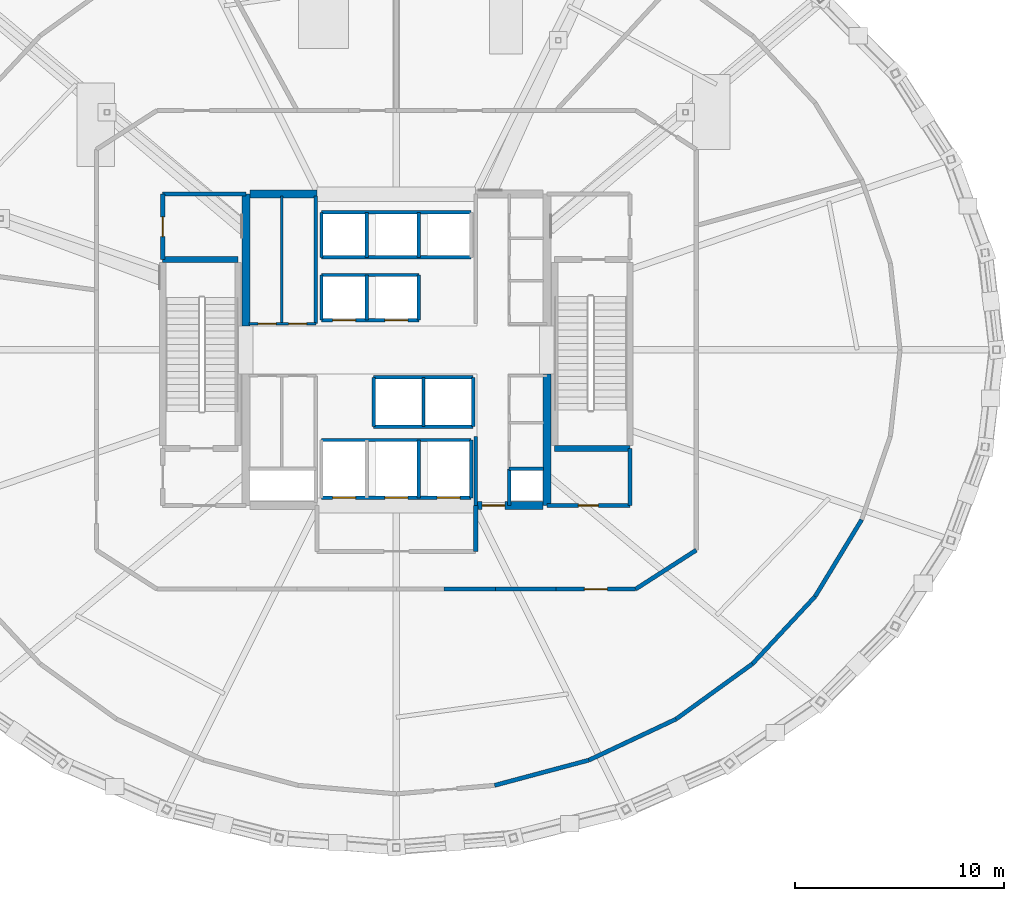
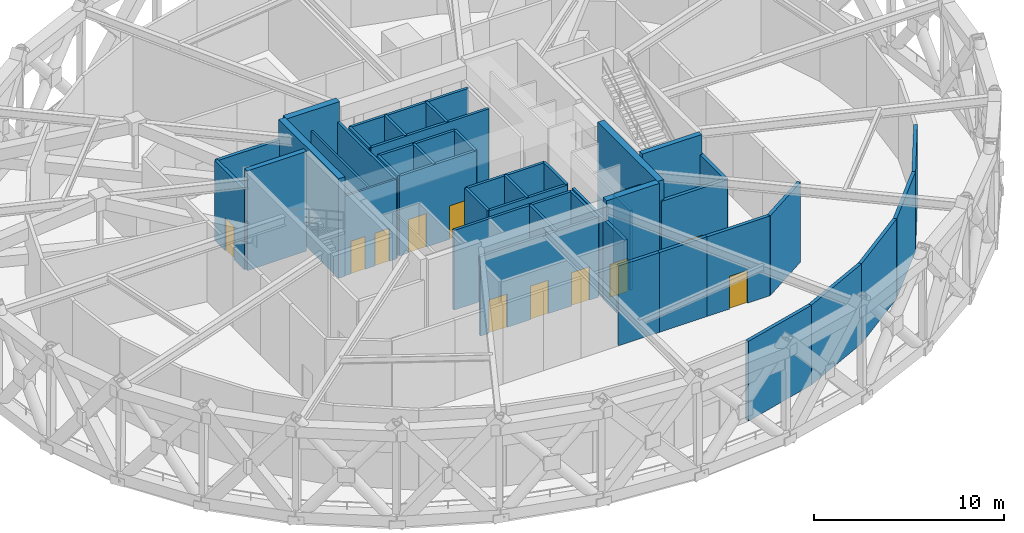
# One storey, part 9 of 15: 45 walls, 11 doors, 11 openings.
"""IFC4 building model written with IfcOpenShell, lengths in metres."""

from ifc_helpers import new_model, si_unit, direction, frame, frame_2d, origin, place, context, subcontext, project, spatial, rectangle, extrude, material, layer, layer_set, type_object, element, fill, save


model = new_model("IFC4")

# Units and contexts
model_context = context("Model", 3, precision=1e-05, world=origin(), true_north=direction((0.0, 1.0)))
body_context = subcontext(model_context, "Body", "Model", "MODEL_VIEW")
ifc_project = project(units=[si_unit("LENGTHUNIT", "METRE"), si_unit("AREAUNIT", "SQUARE_METRE"), si_unit("VOLUMEUNIT", "CUBIC_METRE"), si_unit("PLANEANGLEUNIT", "RADIAN"), si_unit("MASSUNIT", "GRAM", prefix="KILO")], contexts=[model_context])

# Site, building, storey
site_placement = place(None, origin())
site = spatial("IfcSite", under=ifc_project, at=site_placement, CompositionType="ELEMENT")
building_placement = place(site_placement, origin())
building = spatial("IfcBuilding", under=site, at=building_placement, Name="Veldorina Hangang Commons", CompositionType="ELEMENT")
storey_placement = place(building_placement, frame((0.0, 0.0, 110.800048828125)))
storey = spatial("IfcBuildingStorey", under=building, at=storey_placement, Name="L28", CompositionType="ELEMENT", Elevation=110.800048828125)

# Walls
ifc_material_1 = material(Name="Concrete C70/85", Category="concrete")
ifc_layer_1 = layer(ifc_material_1, 0.3798828125)
ifc_layer_set_1 = layer_set([ifc_layer_1], Name="Concrete C70/85")
wall_type_1 = type_object("IfcWallType", Name="CW-RC380-C70", PredefinedType="SHEAR", material=ifc_layer_set_1)
for number, where, z_axis, x_axis, name in (
    (1, (24.800048828125, 25.14990234375, 0.0), (0.0, 0.0, 1.0), (0.0, 1.0, 0.0), "L28 W north core shear wall"),
    (2, (39.199951171875, 16.550048828125, 0.0), (0.0, 0.0, 1.0), (0.0, 1.0, 0.0), "L28 E south core shear wall"),
):
    element("IfcWall", number, at=place(storey_placement, frame(where, z_axis=z_axis, x_axis=x_axis)), inside=storey, type_object=wall_type_1, Name=name, PredefinedType="SHEAR", context=body_context, shape_type="SweptSolid", body=[
        extrude(rectangle(XDim=6.300048828125, YDim=0.3798828125, at=frame_2d((3.14990234375, 0.0))), origin(), (0.0, 0.0, 1.0), 6.39990234375),
    ])

# Wall, opening, door
wall_1_placement = place(storey_placement, frame((35.800048828125, 16.550048828125, 0.0), z_axis=(0.0, 0.0, 1.0), x_axis=(1.0, 0.0, 0.0)))
wall_1 = element("IfcWall", 3, at=wall_1_placement, inside=storey, type_object=wall_type_1, Name="L28 south-east core shear wall", PredefinedType="SHEAR", context=body_context, shape_type="SweptSolid", body=[
    extrude(rectangle(XDim=3.2099609375, YDim=0.3798828125, at=frame_2d((1.60498046875, 0.0))), origin(), (0.0, 0.0, 1.0), 6.39990234375),
])
opening_1_placement = place(wall_1_placement, frame((0.300048828125, 0.0, 0.0)))
opening_1 = element("IfcOpeningElement", 4, at=opening_1_placement, cuts=wall_1, Name="Opening D-08", PredefinedType="OPENING", context=body_context, shape_type="SweptSolid", body=[
    extrude(rectangle(XDim=1.10009765625, YDim=2.10009765625, at=frame_2d((0.550048828125, 1.050048828125))), frame((0.0, 0.199951171875, 0.0), z_axis=(0.0, -1.0, 0.0), x_axis=(1.0, 0.0, 0.0)), (0.0, 0.0, 1.0), 0.39990234375),
])
ifc_material_2 = material(Name="Steel Fire-Rated Smoke Seal", Category="steel")
door_type_1 = type_object("IfcDoorType", Name="DR-FIRE-1100", OperationType="SINGLE_SWING_RIGHT", PredefinedType="DOOR", material=ifc_material_2)
door_1_placement = place(opening_1_placement, origin())
door_1 = element("IfcDoor", 5, at=door_1_placement, inside=storey, type_object=door_type_1, Name="L28 central lift lobby south corridor door", OperationType="SINGLE_SWING_RIGHT", OverallHeight=2.10009765625, OverallWidth=1.10009765625, PredefinedType="DOOR", context=body_context, shape_type="SweptSolid", body=[
    extrude(rectangle(XDim=1.10009765625, YDim=2.10009765625, at=frame_2d((0.550048828125, 1.050048828125))), frame((0.0, 0.02490234375, 0.0), z_axis=(0.0, -1.0, 0.0), x_axis=(1.0, 0.0, 0.0)), (0.0, 0.0, 1.0), 0.050048828125),
])
fill(opening_1, door_1)

# Walls
wall_2_placement = place(storey_placement, frame((24.989990234375, 31.449951171875, 0.0), z_axis=(0.0, 0.0, 1.0), x_axis=(1.0, 0.0, 0.0)))
element("IfcWall", 6, at=wall_2_placement, inside=storey, type_object=wall_type_1, Name="L28 north-west core shear wall", PredefinedType="SHEAR", context=body_context, shape_type="SweptSolid", body=[
    extrude(rectangle(XDim=3.2099609375, YDim=0.3798828125, at=frame_2d((1.60498046875, 0.0))), origin(), (0.0, 0.0, 1.0), 6.39990234375),
])
ifc_material_3 = material(Name="Concrete C50/60", Category="concrete")
ifc_layer_2 = layer(ifc_material_3, 0.300048828125)
ifc_layer_set_2 = layer_set([ifc_layer_2], Name="Concrete C50/60")
wall_type_2 = type_object("IfcWallType", Name="SW-STAIR-300", PredefinedType="SHEAR", material=ifc_layer_set_2)
for number, where, z_axis, x_axis, name in (
    (7, (20.820068359375, 28.320068359375, 0.0), (0.0, 0.0, 1.0), (1.0, 0.0, 0.0), "L28 ST1 north stair shear wall"),
    (8, (39.580078125, 19.280029296875, 0.0), (0.0, 0.0, 1.0), (1.0, 0.0, 0.0), "L28 ST2 south stair shear wall"),
):
    element("IfcWall", number, at=place(storey_placement, frame(where, z_axis=z_axis, x_axis=x_axis)), inside=storey, type_object=wall_type_2, Name=name, PredefinedType="SHEAR", context=body_context, shape_type="SweptSolid", body=[
        extrude(rectangle(XDim=3.599853515625, YDim=0.300048828125, at=frame_2d((1.7998046875, 0.0))), origin(), (0.0, 0.0, 1.0), 6.39990234375),
    ])
ifc_material_4 = material(Name="Gypsum Fire-Rated Twin Stud Wall", Category="gypsum")
ifc_layer_3 = layer(ifc_material_4, 0.159912109375)
ifc_layer_set_3 = layer_set([ifc_layer_3], Name="Gypsum Fire-Rated Twin Stud Wall")
wall_type_3 = type_object("IfcWallType", Name="WL-FIRE-160", PredefinedType="SOLIDWALL", material=ifc_layer_set_3)
wall_3_placement = place(storey_placement, frame((35.800048828125, 16.550048828125, 0.0), z_axis=(0.0, 0.0, 1.0), x_axis=(0.0, 1.0, 0.0)))
element("IfcWall", 9, at=wall_3_placement, inside=storey, type_object=wall_type_3, Name="L28 Lift passage SW wall 009", PredefinedType="SOLIDWALL", context=body_context, shape_type="SweptSolid", body=[
    extrude(rectangle(XDim=3.300048828125, YDim=0.159912109375, at=frame_2d((1.64990234375, 0.0))), origin(), (0.0, 0.0, 1.0), 5.119873046875),
])
wall_4_placement = place(storey_placement, frame((37.39990234375, 16.550048828125, 0.0), z_axis=(0.0, 0.0, 1.0), x_axis=(0.0, 1.0, 0.0)))
element("IfcWall", 10, at=wall_4_placement, inside=storey, type_object=wall_type_3, Name="L28 Lift passage SE stub 010", PredefinedType="SOLIDWALL", context=body_context, shape_type="SweptSolid", body=[
    extrude(rectangle(XDim=1.75, YDim=0.159912109375, at=frame_2d((0.875, 0.0))), origin(), (0.0, 0.0, 1.0), 5.119873046875),
])
for number, where, z_axis, x_axis, name in (
    (11, (28.419921875, 30.580078125, 0.0), (0.0, 0.0, 1.0), (1.0, 0.0, 0.0), "L28 Low-bank front shaft wall 015"),
    (12, (28.419921875, 28.419921875, 0.0), (0.0, 0.0, 1.0), (1.0, 0.0, 0.0), "L28 Low-bank rear shaft wall 016"),
):
    element("IfcWall", number, at=place(storey_placement, frame(where, z_axis=z_axis, x_axis=x_axis)), inside=storey, type_object=wall_type_3, Name=name, PredefinedType="SOLIDWALL", context=body_context, shape_type="SweptSolid", body=[
        extrude(rectangle(XDim=7.16015625, YDim=0.159912109375, at=frame_2d((3.580078125, 0.0))), origin(), (0.0, 0.0, 1.0), 5.119873046875),
    ])
for number, where, z_axis, x_axis, name in (
    (13, (28.419921875, 28.419921875, 0.0), (0.0, 0.0, 1.0), (0.0, 1.0, 0.0), "L28 PL-L1 west shaft wall 017"),
    (14, (30.580078125, 28.419921875, 0.0), (0.0, 0.0, 1.0), (0.0, 1.0, 0.0), "L28 PL-L1 east shaft wall 018"),
    (15, (33.080078125, 28.419921875, 0.0), (0.0, 0.0, 1.0), (0.0, 1.0, 0.0), "L28 PL-L2 east shaft wall 019"),
):
    element("IfcWall", number, at=place(storey_placement, frame(where, z_axis=z_axis, x_axis=x_axis)), inside=storey, type_object=wall_type_3, Name=name, PredefinedType="SOLIDWALL", context=body_context, shape_type="SweptSolid", body=[
        extrude(rectangle(XDim=2.16015625, YDim=0.159912109375, at=frame_2d((1.080078125, 0.0))), origin(), (0.0, 0.0, 1.0), 5.119873046875),
    ])

# Wall, openings, doors
wall_5_placement = place(storey_placement, frame((28.419921875, 25.419921875, 0.0), z_axis=(0.0, 0.0, 1.0), x_axis=(1.0, 0.0, 0.0)))
wall_5 = element("IfcWall", 16, at=wall_5_placement, inside=storey, type_object=wall_type_3, Name="L28 Mid-high front shaft wall 021", PredefinedType="SOLIDWALL", context=body_context, shape_type="SweptSolid", body=[
    extrude(rectangle(XDim=4.66015625, YDim=0.159912109375, at=frame_2d((2.330078125, 0.0))), origin(), (0.0, 0.0, 1.0), 5.119873046875),
])
opening_2_placement = place(wall_5_placement, frame((0.530029296875, 0.0, 0.0)))
opening_2 = element("IfcOpeningElement", 17, at=opening_2_placement, cuts=wall_5, Name="Opening LD-01", PredefinedType="OPENING", context=body_context, shape_type="SweptSolid", body=[
    extrude(rectangle(XDim=1.10009765625, YDim=2.14990234375, at=frame_2d((0.550048828125, 1.074951171875))), frame((0.0, 0.08984375, 0.0), z_axis=(0.0, -1.0, 0.0), x_axis=(1.0, 0.0, 0.0)), (0.0, 0.0, 1.0), 0.179931640625),
])
opening_3_placement = place(wall_5_placement, frame((3.030029296875, 0.0, 0.0)))
opening_3 = element("IfcOpeningElement", 18, at=opening_3_placement, cuts=wall_5, Name="Opening LD-01", PredefinedType="OPENING", context=body_context, shape_type="SweptSolid", body=[
    extrude(rectangle(XDim=1.10009765625, YDim=2.14990234375, at=frame_2d((0.550048828125, 1.074951171875))), frame((0.0, 0.08984375, 0.0), z_axis=(0.0, -1.0, 0.0), x_axis=(1.0, 0.0, 0.0)), (0.0, 0.0, 1.0), 0.179931640625),
])
ifc_material_5 = material(Name="Stainless Steel Brushed Lift Door", Category="steel")
door_type_2 = type_object("IfcDoorType", Name="DR-LIFT-1100", OperationType="SLIDING_TO_LEFT", PredefinedType="DOOR", material=ifc_material_5)
door_2_placement = place(opening_2_placement, origin())
door_2 = element("IfcDoor", 19, at=door_2_placement, inside=storey, type_object=door_type_2, Name="L28 Lift PL-M1 landing door 007", OperationType="SLIDING_TO_RIGHT", OverallHeight=2.14990234375, OverallWidth=1.10009765625, PredefinedType="DOOR", context=body_context, shape_type="SweptSolid", body=[
    extrude(rectangle(XDim=1.10009765625, YDim=2.14990234375, at=frame_2d((0.550048828125, 1.074951171875))), frame((0.0, 0.02490234375, 0.0), z_axis=(0.0, -1.0, 0.0), x_axis=(1.0, 0.0, 0.0)), (0.0, 0.0, 1.0), 0.050048828125),
])
fill(opening_2, door_2)
door_3_placement = place(opening_3_placement, origin())
door_3 = element("IfcDoor", 20, at=door_3_placement, inside=storey, type_object=door_type_2, Name="L28 Lift PL-M2 landing door 008", OperationType="SLIDING_TO_RIGHT", OverallHeight=2.14990234375, OverallWidth=1.10009765625, PredefinedType="DOOR", context=body_context, shape_type="SweptSolid", body=[
    extrude(rectangle(XDim=1.10009765625, YDim=2.14990234375, at=frame_2d((0.550048828125, 1.074951171875))), frame((0.0, 0.02490234375, 0.0), z_axis=(0.0, -1.0, 0.0), x_axis=(1.0, 0.0, 0.0)), (0.0, 0.0, 1.0), 0.050048828125),
])
fill(opening_3, door_3)

# Walls
wall_6_placement = place(storey_placement, frame((28.419921875, 27.580078125, 0.0), z_axis=(0.0, 0.0, 1.0), x_axis=(1.0, 0.0, 0.0)))
element("IfcWall", 21, at=wall_6_placement, inside=storey, type_object=wall_type_3, Name="L28 Mid-high rear shaft wall 022", PredefinedType="SOLIDWALL", context=body_context, shape_type="SweptSolid", body=[
    extrude(rectangle(XDim=4.66015625, YDim=0.159912109375, at=frame_2d((2.330078125, 0.0))), origin(), (0.0, 0.0, 1.0), 5.119873046875),
])
for number, where, z_axis, x_axis, name in (
    (22, (28.419921875, 25.419921875, 0.0), (0.0, 0.0, 1.0), (0.0, 1.0, 0.0), "L28 PL-M1 west shaft wall 023"),
    (23, (30.580078125, 25.419921875, 0.0), (0.0, 0.0, 1.0), (0.0, 1.0, 0.0), "L28 PL-M1 east shaft wall 024"),
    (24, (33.080078125, 25.419921875, 0.0), (0.0, 0.0, 1.0), (0.0, 1.0, 0.0), "L28 PL-M2 east shaft wall 025"),
):
    element("IfcWall", number, at=place(storey_placement, frame(where, z_axis=z_axis, x_axis=x_axis)), inside=storey, type_object=wall_type_3, Name=name, PredefinedType="SOLIDWALL", context=body_context, shape_type="SweptSolid", body=[
        extrude(rectangle(XDim=2.16015625, YDim=0.159912109375, at=frame_2d((1.080078125, 0.0))), origin(), (0.0, 0.0, 1.0), 5.119873046875),
    ])
for number, where, z_axis, x_axis, name in (
    (25, (30.919921875, 22.679931640625, 0.0), (0.0, 0.0, 1.0), (1.0, 0.0, 0.0), "L28 Shuttle-high front shaft wall 026"),
    (26, (30.919921875, 20.320068359375, 0.0), (0.0, 0.0, 1.0), (1.0, 0.0, 0.0), "L28 Shuttle-high rear shaft wall 027"),
):
    element("IfcWall", number, at=place(storey_placement, frame(where, z_axis=z_axis, x_axis=x_axis)), inside=storey, type_object=wall_type_3, Name=name, PredefinedType="SOLIDWALL", context=body_context, shape_type="SweptSolid", body=[
        extrude(rectangle(XDim=4.760009765625, YDim=0.159912109375, at=frame_2d((2.3798828125, 0.0))), origin(), (0.0, 0.0, 1.0), 5.119873046875),
    ])
for number, where, z_axis, x_axis, name in (
    (27, (30.919921875, 20.320068359375, 0.0), (0.0, 0.0, 1.0), (0.0, 1.0, 0.0), "L28 SL-1 west shaft wall 028"),
    (28, (33.300048828125, 20.320068359375, 0.0), (0.0, 0.0, 1.0), (0.0, 1.0, 0.0), "L28 SL-1 east shaft wall 029"),
    (29, (35.679931640625, 20.320068359375, 0.0), (0.0, 0.0, 1.0), (0.0, 1.0, 0.0), "L28 SL-2 east shaft wall 030"),
):
    element("IfcWall", number, at=place(storey_placement, frame(where, z_axis=z_axis, x_axis=x_axis)), inside=storey, type_object=wall_type_3, Name=name, PredefinedType="SOLIDWALL", context=body_context, shape_type="SweptSolid", body=[
        extrude(rectangle(XDim=2.35986328125, YDim=0.159912109375, at=frame_2d((1.179931640625, 0.0))), origin(), (0.0, 0.0, 1.0), 5.119873046875),
    ])

# Wall, openings, doors
wall_7_placement = place(storey_placement, frame((28.419921875, 16.919921875, 0.0), z_axis=(0.0, 0.0, 1.0), x_axis=(1.0, 0.0, 0.0)))
wall_7 = element("IfcWall", 30, at=wall_7_placement, inside=storey, type_object=wall_type_3, Name="L28 Emergency front shaft wall 031", PredefinedType="SOLIDWALL", context=body_context, shape_type="SweptSolid", body=[
    extrude(rectangle(XDim=7.16015625, YDim=0.159912109375, at=frame_2d((3.580078125, 0.0))), origin(), (0.0, 0.0, 1.0), 5.119873046875),
])
opening_4_placement = place(wall_7_placement, frame((0.530029296875, 0.0, 0.0)))
opening_4 = element("IfcOpeningElement", 31, at=opening_4_placement, cuts=wall_7, Name="Opening LD-03", PredefinedType="OPENING", context=body_context, shape_type="SweptSolid", body=[
    extrude(rectangle(XDim=1.10009765625, YDim=2.14990234375, at=frame_2d((0.550048828125, 1.074951171875))), frame((0.0, 0.08984375, 0.0), z_axis=(0.0, -1.0, 0.0), x_axis=(1.0, 0.0, 0.0)), (0.0, 0.0, 1.0), 0.179931640625),
])
opening_5_placement = place(wall_7_placement, frame((3.030029296875, 0.0, 0.0)))
opening_5 = element("IfcOpeningElement", 32, at=opening_5_placement, cuts=wall_7, Name="Opening LD-03", PredefinedType="OPENING", context=body_context, shape_type="SweptSolid", body=[
    extrude(rectangle(XDim=1.10009765625, YDim=2.14990234375, at=frame_2d((0.550048828125, 1.074951171875))), frame((0.0, 0.08984375, 0.0), z_axis=(0.0, -1.0, 0.0), x_axis=(1.0, 0.0, 0.0)), (0.0, 0.0, 1.0), 0.179931640625),
])
opening_6_placement = place(wall_7_placement, frame((5.530029296875, 0.0, 0.0)))
opening_6 = element("IfcOpeningElement", 33, at=opening_6_placement, cuts=wall_7, Name="Opening LD-03", PredefinedType="OPENING", context=body_context, shape_type="SweptSolid", body=[
    extrude(rectangle(XDim=1.10009765625, YDim=2.14990234375, at=frame_2d((0.550048828125, 1.074951171875))), frame((0.0, 0.08984375, 0.0), z_axis=(0.0, -1.0, 0.0), x_axis=(1.0, 0.0, 0.0)), (0.0, 0.0, 1.0), 0.179931640625),
])
ifc_material_6 = material(Name="Stainless Steel Firefighting Lift Door", Category="steel")
door_type_3 = type_object("IfcDoorType", Name="DR-LIFT-FF1100", OperationType="SLIDING_TO_RIGHT", PredefinedType="DOOR", material=ifc_material_6)
door_4_placement = place(opening_4_placement, origin())
door_4 = element("IfcDoor", 34, at=door_4_placement, inside=storey, type_object=door_type_3, Name="L28 Emergency lift FFL-1 landing door 009", OperationType="SLIDING_TO_RIGHT", OverallHeight=2.14990234375, OverallWidth=1.10009765625, PredefinedType="DOOR", context=body_context, shape_type="SweptSolid", body=[
    extrude(rectangle(XDim=1.10009765625, YDim=2.14990234375, at=frame_2d((0.550048828125, 1.074951171875))), frame((0.0, 0.02490234375, 0.0), z_axis=(0.0, -1.0, 0.0), x_axis=(1.0, 0.0, 0.0)), (0.0, 0.0, 1.0), 0.050048828125),
])
fill(opening_4, door_4)
door_5_placement = place(opening_5_placement, origin())
door_5 = element("IfcDoor", 35, at=door_5_placement, inside=storey, type_object=door_type_3, Name="L28 Emergency lift FFL-2 landing door 010", OperationType="SLIDING_TO_RIGHT", OverallHeight=2.14990234375, OverallWidth=1.10009765625, PredefinedType="DOOR", context=body_context, shape_type="SweptSolid", body=[
    extrude(rectangle(XDim=1.10009765625, YDim=2.14990234375, at=frame_2d((0.550048828125, 1.074951171875))), frame((0.0, 0.02490234375, 0.0), z_axis=(0.0, -1.0, 0.0), x_axis=(1.0, 0.0, 0.0)), (0.0, 0.0, 1.0), 0.050048828125),
])
fill(opening_5, door_5)
door_6_placement = place(opening_6_placement, origin())
door_6 = element("IfcDoor", 36, at=door_6_placement, inside=storey, type_object=door_type_3, Name="L28 Emergency lift EVL-1 landing door 011", OperationType="SLIDING_TO_RIGHT", OverallHeight=2.14990234375, OverallWidth=1.10009765625, PredefinedType="DOOR", context=body_context, shape_type="SweptSolid", body=[
    extrude(rectangle(XDim=1.10009765625, YDim=2.14990234375, at=frame_2d((0.550048828125, 1.074951171875))), frame((0.0, 0.02490234375, 0.0), z_axis=(0.0, -1.0, 0.0), x_axis=(1.0, 0.0, 0.0)), (0.0, 0.0, 1.0), 0.050048828125),
])
fill(opening_6, door_6)

# Walls
wall_8_placement = place(storey_placement, frame((28.419921875, 19.679931640625, 0.0), z_axis=(0.0, 0.0, 1.0), x_axis=(1.0, 0.0, 0.0)))
element("IfcWall", 37, at=wall_8_placement, inside=storey, type_object=wall_type_3, Name="L28 Emergency rear shaft wall 032", PredefinedType="SOLIDWALL", context=body_context, shape_type="SweptSolid", body=[
    extrude(rectangle(XDim=7.16015625, YDim=0.159912109375, at=frame_2d((3.580078125, 0.0))), origin(), (0.0, 0.0, 1.0), 5.119873046875),
])
for number, where, z_axis, x_axis, name in (
    (38, (33.080078125, 16.919921875, 0.0), (0.0, 0.0, 1.0), (0.0, 1.0, 0.0), "L28 FFL-2 east shaft wall 035"),
    (39, (35.580078125, 16.919921875, 0.0), (0.0, 0.0, 1.0), (0.0, 1.0, 0.0), "L28 EVL-1 east shaft wall 036"),
):
    element("IfcWall", number, at=place(storey_placement, frame(where, z_axis=z_axis, x_axis=x_axis)), inside=storey, type_object=wall_type_3, Name=name, PredefinedType="SOLIDWALL", context=body_context, shape_type="SweptSolid", body=[
        extrude(rectangle(XDim=2.760009765625, YDim=0.159912109375, at=frame_2d((1.3798828125, 0.0))), origin(), (0.0, 0.0, 1.0), 5.119873046875),
    ])
wall_9_placement = place(storey_placement, frame((37.39990234375, 18.300048828125, 0.0), z_axis=(0.0, 0.0, 1.0), x_axis=(1.0, 0.0, 0.0)))
element("IfcWall", 40, at=wall_9_placement, inside=storey, type_object=wall_type_3, Name="L28 Plumbing riser wall 039", PredefinedType="SOLIDWALL", context=body_context, shape_type="SweptSolid", body=[
    extrude(rectangle(XDim=1.650146484375, YDim=0.159912109375, at=frame_2d((0.8251953125, 0.0))), origin(), (0.0, 0.0, 1.0), 5.119873046875),
])
wall_10_placement = place(storey_placement, frame((28.14990234375, 25.25, 0.0), z_axis=(0.0, 0.0, 1.0), x_axis=(0.0, 1.0, 0.0)))
element("IfcWall", 41, at=wall_10_placement, inside=storey, type_object=wall_type_3, Name="L28 NW core inner wall 040", PredefinedType="SOLIDWALL", context=body_context, shape_type="SweptSolid", body=[
    extrude(rectangle(XDim=6.10009765625, YDim=0.159912109375, at=frame_2d((3.050048828125, 0.0))), origin(), (0.0, 0.0, 1.0), 5.119873046875),
])

# Wall, opening, door
ifc_material_7 = material(Name="Concrete Blockwork Fire Wall C30/37", Category="masonry")
ifc_layer_4 = layer(ifc_material_7, 0.199951171875)
ifc_layer_set_4 = layer_set([ifc_layer_4], Name="Concrete Blockwork Fire Wall C30/37")
wall_type_4 = type_object("IfcWallType", Name="WL-FIRE-200", PredefinedType="SOLIDWALL", material=ifc_layer_set_4)
wall_11_placement = place(storey_placement, frame((20.820068359375, 28.320068359375, 0.0), z_axis=(0.0, 0.0, 1.0), x_axis=(0.0, 1.0, 0.0)))
wall_11 = element("IfcWall", 42, at=wall_11_placement, inside=storey, type_object=wall_type_4, Name="L28 NW core room outer wall 005", PredefinedType="SOLIDWALL", context=body_context, shape_type="SweptSolid", body=[
    extrude(rectangle(XDim=3.1298828125, YDim=0.199951171875, at=frame_2d((1.56494140625, 0.0))), origin(), (0.0, 0.0, 1.0), 5.119873046875),
])
opening_7_placement = place(wall_11_placement, frame((1.090087890625, 0.0, 0.0)))
opening_7 = element("IfcOpeningElement", 43, at=opening_7_placement, cuts=wall_11, Name="Opening D-04", PredefinedType="OPENING", context=body_context, shape_type="SweptSolid", body=[
    extrude(rectangle(XDim=0.949951171875, YDim=2.10009765625, at=frame_2d((0.47509765625, 1.050048828125))), frame((0.0, 0.10986328125, 0.0), z_axis=(0.0, -1.0, 0.0), x_axis=(1.0, 0.0, 0.0)), (0.0, 0.0, 1.0), 0.219970703125),
])
ifc_material_8 = material(Name="Timber Accessible Flush Leaf", Category="wood")
door_type_4 = type_object("IfcDoorType", Name="DR-ACC-950", OperationType="SINGLE_SWING_LEFT", PredefinedType="DOOR", material=ifc_material_8)
door_7_placement = place(opening_7_placement, origin())
door_7 = element("IfcDoor", 44, at=door_7_placement, inside=storey, type_object=door_type_4, Name="L28 NW core WC door 004", OperationType="SINGLE_SWING_RIGHT", OverallHeight=2.10009765625, OverallWidth=0.949951171875, PredefinedType="DOOR", context=body_context, shape_type="SweptSolid", body=[
    extrude(rectangle(XDim=0.949951171875, YDim=2.10009765625, at=frame_2d((0.47509765625, 1.050048828125))), frame((0.0, 0.02490234375, 0.0), z_axis=(0.0, -1.0, 0.0), x_axis=(1.0, 0.0, 0.0)), (0.0, 0.0, 1.0), 0.050048828125),
])
fill(opening_7, door_7)

# Walls
wall_12_placement = place(storey_placement, frame((20.820068359375, 31.449951171875, 0.0), z_axis=(0.0, 0.0, 1.0), x_axis=(1.0, 0.0, 0.0)))
element("IfcWall", 45, at=wall_12_placement, inside=storey, type_object=wall_type_4, Name="L28 NW core room north wall 006", PredefinedType="SOLIDWALL", context=body_context, shape_type="SweptSolid", body=[
    extrude(rectangle(XDim=3.97998046875, YDim=0.199951171875, at=frame_2d((1.989990234375, 0.0))), origin(), (0.0, 0.0, 1.0), 5.119873046875),
])
wall_13_placement = place(storey_placement, frame((43.179931640625, 16.550048828125, 0.0), z_axis=(0.0, 0.0, 1.0), x_axis=(0.0, 1.0, 0.0)))
element("IfcWall", 46, at=wall_13_placement, inside=storey, type_object=wall_type_4, Name="L28 SE core room outer wall 007", PredefinedType="SOLIDWALL", context=body_context, shape_type="SweptSolid", body=[
    extrude(rectangle(XDim=2.72998046875, YDim=0.199951171875, at=frame_2d((1.364990234375, 0.0))), origin(), (0.0, 0.0, 1.0), 5.119873046875),
])

# Wall, opening, door
wall_14_placement = place(storey_placement, frame((39.199951171875, 16.550048828125, 0.0), z_axis=(0.0, 0.0, 1.0), x_axis=(1.0, 0.0, 0.0)))
wall_14 = element("IfcWall", 47, at=wall_14_placement, inside=storey, type_object=wall_type_4, Name="L28 SE core room south wall 008", PredefinedType="SOLIDWALL", context=body_context, shape_type="SweptSolid", body=[
    extrude(rectangle(XDim=3.97998046875, YDim=0.199951171875, at=frame_2d((1.989990234375, 0.0))), origin(), (0.0, 0.0, 1.0), 5.119873046875),
])
opening_8_placement = place(wall_14_placement, frame((1.514892578125, 0.0, 0.0)))
opening_8 = element("IfcOpeningElement", 48, at=opening_8_placement, cuts=wall_14, Name="Opening D-02", PredefinedType="OPENING", context=body_context, shape_type="SweptSolid", body=[
    extrude(rectangle(XDim=0.949951171875, YDim=2.10009765625, at=frame_2d((0.47509765625, 1.050048828125))), frame((0.0, 0.10986328125, 0.0), z_axis=(0.0, -1.0, 0.0), x_axis=(1.0, 0.0, 0.0)), (0.0, 0.0, 1.0), 0.219970703125),
])
ifc_material_9 = material(Name="Timber Solid Core Acoustic", Category="wood")
door_type_5 = type_object("IfcDoorType", Name="DR-INT-950", OperationType="SINGLE_SWING_LEFT", PredefinedType="DOOR", material=ifc_material_9)
door_8_placement = place(opening_8_placement, origin())
door_8 = element("IfcDoor", 49, at=door_8_placement, inside=storey, type_object=door_type_5, Name="L28 SE core WC door 005", OperationType="SINGLE_SWING_LEFT", OverallHeight=2.10009765625, OverallWidth=0.949951171875, PredefinedType="DOOR", context=body_context, shape_type="SweptSolid", body=[
    extrude(rectangle(XDim=0.949951171875, YDim=2.10009765625, at=frame_2d((0.47509765625, 1.050048828125))), frame((0.0, 0.02490234375, 0.0), z_axis=(0.0, -1.0, 0.0), x_axis=(1.0, 0.0, 0.0)), (0.0, 0.0, 1.0), 0.050048828125),
])
fill(opening_8, door_8)

# Walls
wall_15_placement = place(storey_placement, frame((35.800048828125, 14.35009765625, 0.0), z_axis=(0.0, 0.0, 1.0), x_axis=(0.0, 1.0, 0.0)))
element("IfcWall", 50, at=wall_15_placement, inside=storey, type_object=wall_type_4, Name="L28 FF lobby east wall 013", PredefinedType="SOLIDWALL", context=body_context, shape_type="SweptSolid", body=[
    extrude(rectangle(XDim=2.199951171875, YDim=0.199951171875, at=frame_2d((1.10009765625, 0.0))), origin(), (0.0, 0.0, 1.0), 5.119873046875),
])
wall_16_placement = place(storey_placement, frame((36.70166015625, 3.158203125, 0.0), z_axis=(0.0, 0.0, 1.0), x_axis=(0.9660285601, 0.258435332473, 0.0)))
element("IfcWall", 51, at=wall_16_placement, inside=storey, type_object=wall_type_4, Name="L28 L28 wind-floor compartment wall 25 077", PredefinedType="SOLIDWALL", context=body_context, shape_type="SweptSolid", body=[
    extrude(rectangle(XDim=4.679931640625, YDim=0.199951171875, at=frame_2d((2.33984375, 0.0))), origin(), (0.0, 0.0, 1.0), 5.119873046875),
])
wall_17_placement = place(storey_placement, frame((41.22265625, 4.36767578125, 0.0), z_axis=(0.0, 0.0, 1.0), x_axis=(0.904574703116, 0.426315149253, 0.0)))
element("IfcWall", 52, at=wall_17_placement, inside=storey, type_object=wall_type_4, Name="L28 L28 wind-floor compartment wall 26 078", PredefinedType="SOLIDWALL", context=body_context, shape_type="SweptSolid", body=[
    extrude(rectangle(XDim=4.60595703125, YDim=0.199951171875, at=frame_2d((2.302978515625, 0.0))), origin(), (0.0, 0.0, 1.0), 5.119873046875),
])
wall_18_placement = place(storey_placement, frame((45.38916015625, 6.331298828125, 0.0), z_axis=(0.0, 0.0, 1.0), x_axis=(0.810131923704, 0.586247615088, 0.0)))
element("IfcWall", 53, at=wall_18_placement, inside=storey, type_object=wall_type_4, Name="L28 L28 wind-floor compartment wall 27 079", PredefinedType="SOLIDWALL", context=body_context, shape_type="SweptSolid", body=[
    extrude(rectangle(XDim=4.508056640625, YDim=0.199951171875, at=frame_2d((2.25390625, 0.0))), origin(), (0.0, 0.0, 1.0), 5.119873046875),
])
wall_19_placement = place(storey_placement, frame((49.041259765625, 8.97412109375, 0.0), z_axis=(0.0, 0.0, 1.0), x_axis=(0.681317030747, 0.731988458661, 0.0)))
element("IfcWall", 54, at=wall_19_placement, inside=storey, type_object=wall_type_4, Name="L28 L28 wind-floor compartment wall 28 080", PredefinedType="SOLIDWALL", context=body_context, shape_type="SweptSolid", body=[
    extrude(rectangle(XDim=4.39892578125, YDim=0.199951171875, at=frame_2d((2.199462890625, 0.0))), origin(), (0.0, 0.0, 1.0), 5.119873046875),
])
wall_20_placement = place(storey_placement, frame((52.038330078125, 12.194091796875, 0.0), z_axis=(0.0, 0.0, 1.0), x_axis=(0.518384837447, 0.855147449452, 0.0)))
element("IfcWall", 55, at=wall_20_placement, inside=storey, type_object=wall_type_4, Name="L28 L28 wind-floor compartment wall 29 081", PredefinedType="SOLIDWALL", context=body_context, shape_type="SweptSolid", body=[
    extrude(rectangle(XDim=4.296142578125, YDim=0.199951171875, at=frame_2d((2.14794921875, 0.0))), origin(), (0.0, 0.0, 1.0), 5.119873046875),
])
wall_21_placement = place(storey_placement, frame((34.277587890625, 12.550048828125, 0.0), z_axis=(0.0, 0.0, 1.0), x_axis=(1.0, 0.0, 0.0)))
element("IfcWall", 56, at=wall_21_placement, inside=storey, type_object=wall_type_4, Name="L28 Plant corridor wall 25 109", PredefinedType="SOLIDWALL", context=body_context, shape_type="SweptSolid", body=[
    extrude(rectangle(XDim=2.465087890625, YDim=0.199951171875, at=frame_2d((1.232421875, 0.0))), origin(), (0.0, 0.0, 1.0), 5.119873046875),
])
wall_22_placement = place(storey_placement, frame((36.74267578125, 12.550048828125, 0.0), z_axis=(0.0, 0.0, 1.0), x_axis=(1.0, 0.0, 0.0)))
element("IfcWall", 57, at=wall_22_placement, inside=storey, type_object=wall_type_4, Name="L28 Plant corridor wall 26 110", PredefinedType="SOLIDWALL", context=body_context, shape_type="SweptSolid", body=[
    extrude(rectangle(XDim=2.907958984375, YDim=0.199951171875, at=frame_2d((1.4541015625, 0.0))), origin(), (0.0, 0.0, 1.0), 5.119873046875),
])

# Wall, opening, door
wall_23_placement = place(storey_placement, frame((39.650634765625, 12.550048828125, 0.0), z_axis=(0.0, 0.0, 1.0), x_axis=(1.0, 0.0, 0.0)))
wall_23 = element("IfcWall", 58, at=wall_23_placement, inside=storey, type_object=wall_type_4, Name="L28 Plant corridor wall 27 111", PredefinedType="SOLIDWALL", context=body_context, shape_type="SweptSolid", body=[
    extrude(rectangle(XDim=3.79931640625, YDim=0.199951171875, at=frame_2d((1.899658203125, 0.0))), origin(), (0.0, 0.0, 1.0), 5.119873046875),
])
opening_9_placement = place(wall_23_placement, frame((1.349609375, 0.0, 0.0)))
opening_9 = element("IfcOpeningElement", 59, at=opening_9_placement, cuts=wall_23, Name="Opening D-08", PredefinedType="OPENING", context=body_context, shape_type="SweptSolid", body=[
    extrude(rectangle(XDim=1.10009765625, YDim=2.10009765625, at=frame_2d((0.550048828125, 1.050048828125))), frame((0.0, 0.10986328125, 0.0), z_axis=(0.0, -1.0, 0.0), x_axis=(1.0, 0.0, 0.0)), (0.0, 0.0, 1.0), 0.219970703125),
])
door_9_placement = place(opening_9_placement, origin())
door_9 = element("IfcDoor", 60, at=door_9_placement, inside=storey, type_object=door_type_1, Name="L28 Refuge east corridor door 024", OperationType="SINGLE_SWING_RIGHT", OverallHeight=2.10009765625, OverallWidth=1.10009765625, PredefinedType="DOOR", context=body_context, shape_type="SweptSolid", body=[
    extrude(rectangle(XDim=1.10009765625, YDim=2.10009765625, at=frame_2d((0.550048828125, 1.050048828125))), frame((0.0, 0.02490234375, 0.0), z_axis=(0.0, -1.0, 0.0), x_axis=(1.0, 0.0, 0.0)), (0.0, 0.0, 1.0), 0.050048828125),
])
fill(opening_9, door_9)

# Wall
wall_24_placement = place(storey_placement, frame((43.449951171875, 12.550048828125, 0.0), z_axis=(0.0, 0.0, 1.0), x_axis=(0.841548863049, 0.540180998464, 0.0)))
element("IfcWall", 61, at=wall_24_placement, inside=storey, type_object=wall_type_4, Name="L28 Plant corridor wall 28 112", PredefinedType="SOLIDWALL", context=body_context, shape_type="SweptSolid", body=[
    extrude(rectangle(XDim=3.4462890625, YDim=0.199951171875, at=frame_2d((1.72314453125, 0.0))), origin(), (0.0, 0.0, 1.0), 5.119873046875),
])

# Wall, openings, doors
ifc_material_10 = material(Name="Gypsum Acoustic Stud Partition", Category="gypsum")
ifc_layer_5 = layer(ifc_material_10, 0.1201171875)
ifc_layer_set_5 = layer_set([ifc_layer_5], Name="Gypsum Acoustic Stud Partition")
wall_type_5 = type_object("IfcWallType", Name="WL-PART-120", PredefinedType="PARTITIONING", material=ifc_layer_set_5)
wall_25_placement = place(storey_placement, frame((24.949951171875, 25.25, 0.0), z_axis=(0.0, 0.0, 1.0), x_axis=(1.0, 0.0, 0.0)))
wall_25 = element("IfcWall", 62, at=wall_25_placement, inside=storey, type_object=wall_type_5, Name="L28 NW service south wall 041", PredefinedType="PARTITIONING", context=body_context, shape_type="SweptSolid", body=[
    extrude(rectangle(XDim=3.199951171875, YDim=0.1201171875, at=frame_2d((1.60009765625, 0.0))), origin(), (0.0, 0.0, 1.0), 5.119873046875),
])
opening_10_placement = place(wall_25_placement, frame((0.43994140625, 0.0, 0.0)))
opening_10 = element("IfcOpeningElement", 63, at=opening_10_placement, cuts=wall_25, Name="Opening D-01", PredefinedType="OPENING", context=body_context, shape_type="SweptSolid", body=[
    extrude(rectangle(XDim=0.860107421875, YDim=2.10009765625, at=frame_2d((0.43017578125, 1.050048828125))), frame((0.0, 0.070068359375, 0.0), z_axis=(0.0, -1.0, 0.0), x_axis=(1.0, 0.0, 0.0)), (0.0, 0.0, 1.0), 0.14013671875),
])
opening_11_placement = place(wall_25_placement, frame((1.89990234375, 0.0, 0.0)))
opening_11 = element("IfcOpeningElement", 64, at=opening_11_placement, cuts=wall_25, Name="Opening D-01", PredefinedType="OPENING", context=body_context, shape_type="SweptSolid", body=[
    extrude(rectangle(XDim=0.860107421875, YDim=2.10009765625, at=frame_2d((0.43017578125, 1.050048828125))), frame((0.0, 0.070068359375, 0.0), z_axis=(0.0, -1.0, 0.0), x_axis=(1.0, 0.0, 0.0)), (0.0, 0.0, 1.0), 0.14013671875),
])
ifc_material_11 = material(Name="Timber Moisture-Resistant Core", Category="wood")
door_type_6 = type_object("IfcDoorType", Name="DR-WET-860", OperationType="SINGLE_SWING_LEFT", PredefinedType="DOOR", material=ifc_material_11)
door_10_placement = place(opening_10_placement, origin())
door_10 = element("IfcDoor", 65, at=door_10_placement, inside=storey, type_object=door_type_6, Name="L28 Linen west door 012", OperationType="SINGLE_SWING_RIGHT", OverallHeight=2.10009765625, OverallWidth=0.860107421875, PredefinedType="DOOR", context=body_context, shape_type="SweptSolid", body=[
    extrude(rectangle(XDim=0.860107421875, YDim=2.10009765625, at=frame_2d((0.43017578125, 1.050048828125))), frame((0.0, 0.02490234375, 0.0), z_axis=(0.0, -1.0, 0.0), x_axis=(1.0, 0.0, 0.0)), (0.0, 0.0, 1.0), 0.050048828125),
])
fill(opening_10, door_10)
door_11_placement = place(opening_11_placement, origin())
door_11 = element("IfcDoor", 66, at=door_11_placement, inside=storey, type_object=door_type_6, Name="L28 Data closet door 013", OperationType="SINGLE_SWING_LEFT", OverallHeight=2.10009765625, OverallWidth=0.860107421875, PredefinedType="DOOR", context=body_context, shape_type="SweptSolid", body=[
    extrude(rectangle(XDim=0.860107421875, YDim=2.10009765625, at=frame_2d((0.43017578125, 1.050048828125))), frame((0.0, 0.02490234375, 0.0), z_axis=(0.0, -1.0, 0.0), x_axis=(1.0, 0.0, 0.0)), (0.0, 0.0, 1.0), 0.050048828125),
])
fill(opening_11, door_11)

# Wall
wall_26_placement = place(storey_placement, frame((26.530029296875, 25.25, 0.0), z_axis=(0.0, 0.0, 1.0), x_axis=(0.0, 1.0, 0.0)))
element("IfcWall", 67, at=wall_26_placement, inside=storey, type_object=wall_type_5, Name="L28 NW vertical split 047", PredefinedType="PARTITIONING", context=body_context, shape_type="SweptSolid", body=[
    extrude(rectangle(XDim=6.10009765625, YDim=0.1201171875, at=frame_2d((3.050048828125, 0.0))), origin(), (0.0, 0.0, 1.0), 5.119873046875),
])

save(model, "model.ifc")
